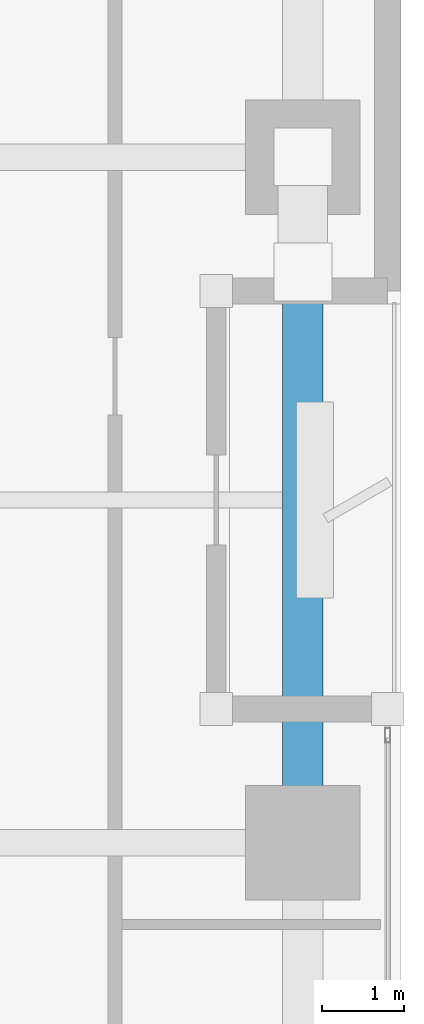
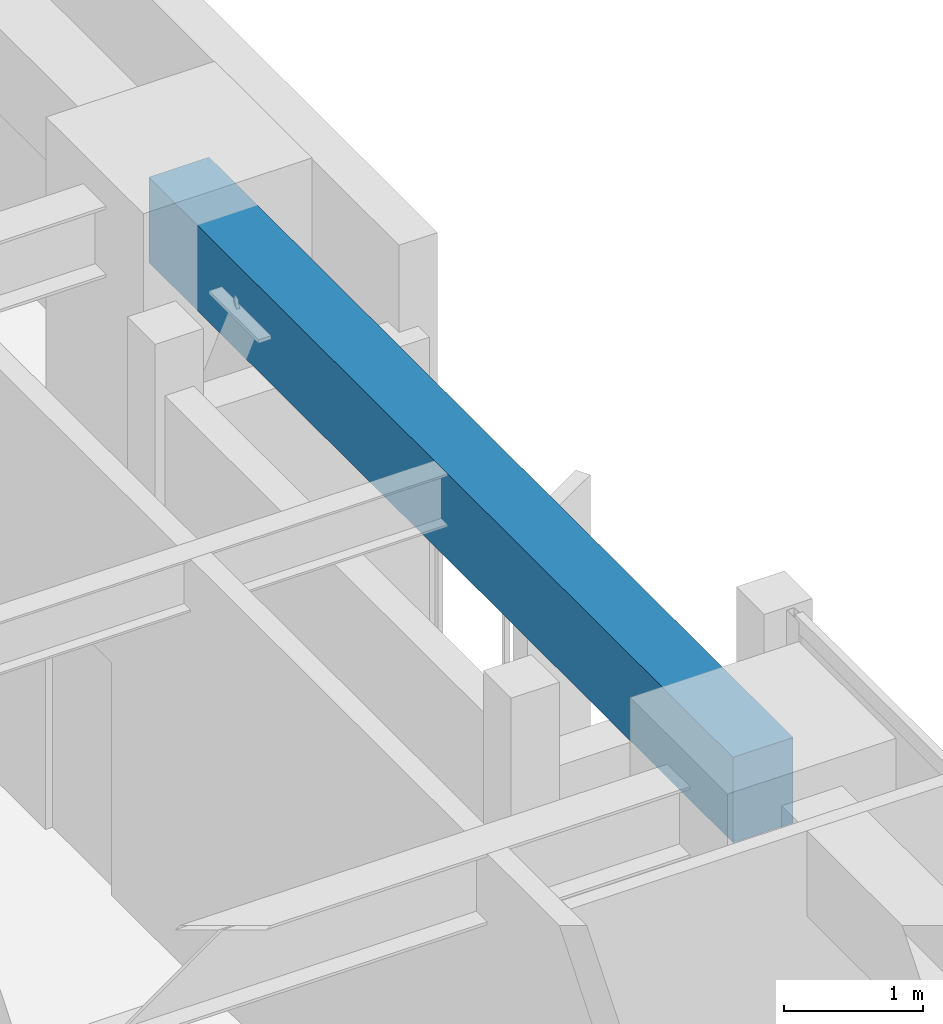
# One storey, part 7 of 24: 1 beam.
"""IFC4 building model written with IfcOpenShell, lengths in metres."""

from ifc_helpers import new_model, si_unit, direction, frame, origin, origin_2d, place, context, subcontext, project, spatial, rectangle, extrude, material, material_profile, profile_set, type_object, element, save


model = new_model("IFC4")

# Units and contexts
model_context = context("Model", 3, precision=1e-05, world=origin(), true_north=direction((0.0, 1.0)))
body_context = subcontext(model_context, "Body", "Model", "MODEL_VIEW")
ifc_project = project(units=[si_unit("LENGTHUNIT", "METRE"), si_unit("AREAUNIT", "SQUARE_METRE"), si_unit("VOLUMEUNIT", "CUBIC_METRE"), si_unit("PLANEANGLEUNIT", "RADIAN"), si_unit("MASSUNIT", "GRAM", prefix="KILO")], contexts=[model_context])

# Site, building, storey
site_placement = place(None, origin())
site = spatial("IfcSite", under=ifc_project, at=site_placement, CompositionType="ELEMENT")
building_placement = place(site_placement, origin())
building = spatial("IfcBuilding", under=site, at=building_placement, Name="Kiyonajd Concourse Tower", CompositionType="ELEMENT")
storey_placement = place(building_placement, frame((0.0, 0.0, 117.0)))
storey = spatial("IfcBuildingStorey", under=building, at=storey_placement, Name="L30", CompositionType="ELEMENT", Elevation=117.0)

# Beam
ifc_material = material(Name="Precast concrete C50/60", Category="concrete")
ifc_material_profile = material_profile(ifc_material, rectangle(XDim=0.5, YDim=0.75, at=origin_2d()), Name="RCBM-500x750")
ifc_profile_set = profile_set([ifc_material_profile], Name="Precast concrete C50/60")
beam_type = type_object("IfcBeamType", Name="BM-SPAN-RC", PredefinedType="SPANDREL", material=ifc_profile_set)
beam_placement = place(storey_placement, frame((69.60009765625, 36.0, 3.264892578125), z_axis=(0.0, 1.0, 0.0), x_axis=(-1.0, 0.0, 0.0)))
element("IfcBeam", 1, at=beam_placement, inside=storey, type_object=beam_type, Name="L30 Perimeter Bundled Tube Spandrel", PredefinedType="SPANDREL", context=body_context, shape_type="SweptSolid", body=[
    extrude(rectangle(XDim=0.5, YDim=0.75, at=origin_2d()), origin(), (0.0, 0.0, 1.0), 8.39990234375),
])

save(model, "model.ifc")
